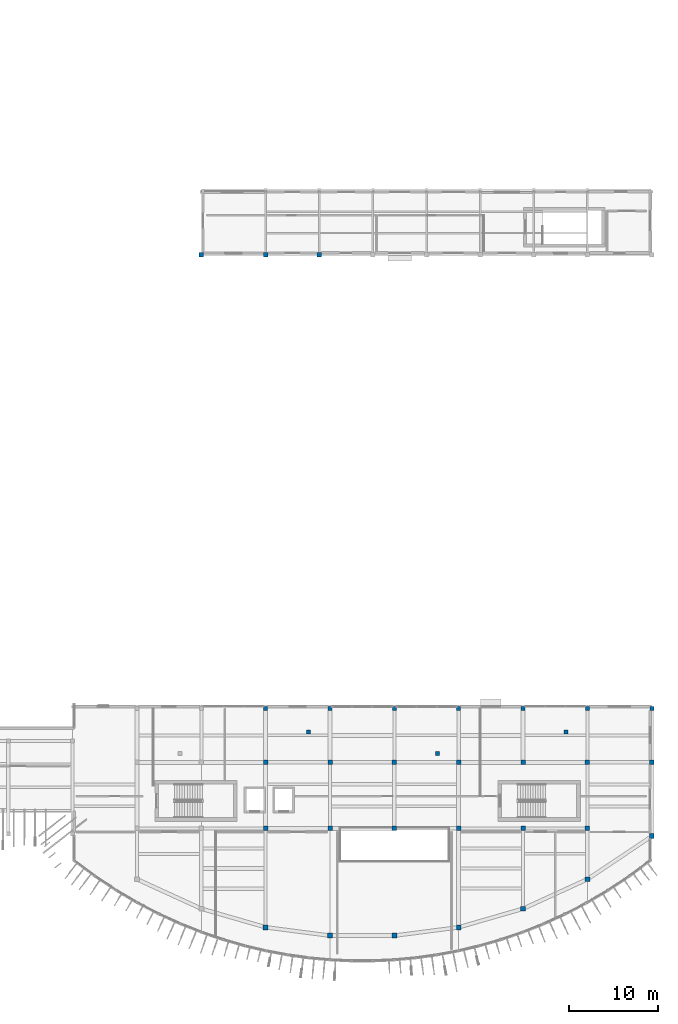
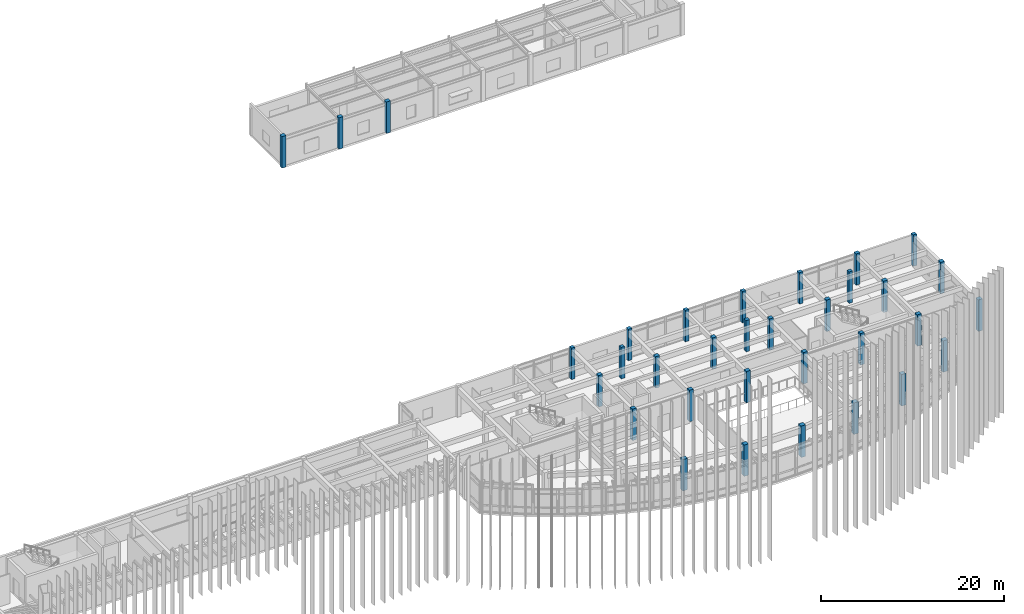
# One storey, part 2 of 47: 33 columns.
"""IFC4 building model written with IfcOpenShell, lengths in metres."""

from ifc_helpers import new_model, si_unit, direction, frame, origin, origin_2d, place, context, subcontext, project, spatial, rectangle, extrude, material, material_profile, profile_set, type_object, element, save


model = new_model("IFC4")

# Units and contexts
model_context = context("Model", 3, precision=1e-05, world=origin(), true_north=direction((0.0, 1.0)))
body_context = subcontext(model_context, "Body", "Model", "MODEL_VIEW")
ifc_project = project(units=[si_unit("LENGTHUNIT", "METRE"), si_unit("AREAUNIT", "SQUARE_METRE"), si_unit("VOLUMEUNIT", "CUBIC_METRE"), si_unit("PLANEANGLEUNIT", "RADIAN"), si_unit("MASSUNIT", "GRAM", prefix="KILO")], contexts=[model_context])

# Site, building, storey
site_placement = place(None, origin())
site = spatial("IfcSite", under=ifc_project, at=site_placement, CompositionType="ELEMENT")
building_placement = place(site_placement, origin())
building = spatial("IfcBuilding", under=site, at=building_placement, Name="Brisavento Harbour Community Centre", CompositionType="ELEMENT")
storey_placement = place(building_placement, frame((0.0, 0.0, 8.699951171875)))
storey = spatial("IfcBuildingStorey", under=building, at=storey_placement, Name="L02", CompositionType="ELEMENT", Elevation=8.699951171875)

# Columns
ifc_material = material(Name="Concrete C35/45", Category="concrete")
ifc_material_profile_1 = material_profile(ifc_material, rectangle(XDim=0.449951171875, YDim=0.449951171875, at=origin_2d()), Name="Concrete C35/45")
ifc_profile_set_1 = profile_set([ifc_material_profile_1], Name="Concrete C35/45")
column_type_1 = type_object("IfcColumnType", Name="COL-RC-450", PredefinedType="COLUMN", material=ifc_profile_set_1)
for number, where, z_axis, x_axis, name in (
    (1, (129.60009765625, 28.39990234375, 0.0), (0.0, 0.0, 1.0), (1.0, 0.0, 0.0), "L02 column V3N2-129"),
    (2, (136.800048828125, 28.39990234375, 0.0), (0.0, 0.0, 1.0), (1.0, 0.0, 0.0), "L02 column V3N2-136"),
    (3, (144.0, 28.39990234375, 0.0), (0.0, 0.0, 1.0), (1.0, 0.0, 0.0), "L02 column V3N2-144"),
    (4, (151.199951171875, 28.39990234375, 0.0), (0.0, 0.0, 1.0), (1.0, 0.0, 0.0), "L02 column V3N2-151"),
    (5, (158.39990234375, 28.39990234375, 0.0), (0.0, 0.0, 1.0), (1.0, 0.0, 0.0), "L02 column V3N2-158"),
    (6, (165.60009765625, 28.39990234375, 0.0), (0.0, 0.0, 1.0), (1.0, 0.0, 0.0), "L02 column V3N2-165"),
    (7, (172.800048828125, 28.39990234375, 0.0), (0.0, 0.0, 1.0), (1.0, 0.0, 0.0), "L02 column V3N2-172"),
    (8, (134.39990234375, 25.800048828125, 0.0), (0.0, 0.0, 1.0), (1.0, 0.0, 0.0), "L02 column V3TER-134"),
    (9, (148.800048828125, 23.39990234375, 0.0), (0.0, 0.0, 1.0), (1.0, 0.0, 0.0), "L02 column V3TER-148"),
    (10, (163.199951171875, 25.800048828125, 0.0), (0.0, 0.0, 1.0), (1.0, 0.0, 0.0), "L02 column V3TER-163"),
):
    element("IfcColumn", number, at=place(storey_placement, frame(where, z_axis=z_axis, x_axis=x_axis)), inside=storey, type_object=column_type_1, Name=name, PredefinedType="COLUMN", context=body_context, shape_type="SweptSolid", body=[
        extrude(rectangle(XDim=0.449951171875, YDim=0.449951171875, at=origin_2d()), origin(), (0.0, 0.0, 1.0), 4.199951171875),
    ])
ifc_material_profile_2 = material_profile(ifc_material, rectangle(XDim=0.5, YDim=0.5, at=origin_2d()), Name="Concrete C35/45")
ifc_profile_set_2 = profile_set([ifc_material_profile_2], Name="Concrete C35/45")
column_type_2 = type_object("IfcColumnType", Name="COL-RC-500", PredefinedType="COLUMN", material=ifc_profile_set_2)
for number, where, z_axis, x_axis, name in (
    (11, (129.60009765625, 15.0, 0.0), (0.0, 0.0, 1.0), (1.0, 0.0, 0.0), "L02 column V3M-129"),
    (12, (129.60009765625, 22.39990234375, 0.0), (0.0, 0.0, 1.0), (1.0, 0.0, 0.0), "L02 column V3N1-129"),
    (13, (136.800048828125, 15.0, 0.0), (0.0, 0.0, 1.0), (1.0, 0.0, 0.0), "L02 column V3M-136"),
    (14, (136.800048828125, 22.39990234375, 0.0), (0.0, 0.0, 1.0), (1.0, 0.0, 0.0), "L02 column V3N1-136"),
    (15, (144.0, 15.0, 0.0), (0.0, 0.0, 1.0), (1.0, 0.0, 0.0), "L02 column V3M-144"),
    (16, (144.0, 22.39990234375, 0.0), (0.0, 0.0, 1.0), (1.0, 0.0, 0.0), "L02 column V3N1-144"),
    (17, (151.199951171875, 15.0, 0.0), (0.0, 0.0, 1.0), (1.0, 0.0, 0.0), "L02 column V3M-151"),
    (18, (151.199951171875, 22.39990234375, 0.0), (0.0, 0.0, 1.0), (1.0, 0.0, 0.0), "L02 column V3N1-151"),
    (19, (158.39990234375, 15.0, 0.0), (0.0, 0.0, 1.0), (1.0, 0.0, 0.0), "L02 column V3M-158"),
    (20, (158.39990234375, 22.39990234375, 0.0), (0.0, 0.0, 1.0), (1.0, 0.0, 0.0), "L02 column V3N1-158"),
    (21, (165.60009765625, 15.0, 0.0), (0.0, 0.0, 1.0), (1.0, 0.0, 0.0), "L02 column V3M-165"),
    (22, (165.60009765625, 22.39990234375, 0.0), (0.0, 0.0, 1.0), (1.0, 0.0, 0.0), "L02 column V3N1-165"),
    (23, (172.800048828125, 22.39990234375, 0.0), (0.0, 0.0, 1.0), (1.0, 0.0, 0.0), "L02 column V3N1-172"),
    (24, (129.60009765625, 79.199951171875, 0.0), (0.0, 0.0, 1.0), (1.0, 0.0, 0.0), "L02 column V4SB-1"),
    (25, (135.60009765625, 79.199951171875, 0.0), (0.0, 0.0, 1.0), (1.0, 0.0, 0.0), "L02 column V4SB-2"),
    (26, (122.39990234375, 79.199951171875, 0.0), (0.0, 0.0, 1.0), (1.0, 0.0, 0.0), "L02 column V4SW-PROW"),
):
    element("IfcColumn", number, at=place(storey_placement, frame(where, z_axis=z_axis, x_axis=x_axis)), inside=storey, type_object=column_type_2, Name=name, PredefinedType="COLUMN", context=body_context, shape_type="SweptSolid", body=[
        extrude(rectangle(XDim=0.5, YDim=0.5, at=origin_2d()), origin(), (0.0, 0.0, 1.0), 4.199951171875),
    ])
ifc_material_profile_3 = material_profile(ifc_material, rectangle(XDim=0.550048828125, YDim=0.550048828125, at=origin_2d()), Name="Concrete C35/45")
ifc_profile_set_3 = profile_set([ifc_material_profile_3], Name="Concrete C35/45")
column_type_3 = type_object("IfcColumnType", Name="COL-RC-550", PredefinedType="COLUMN", material=ifc_profile_set_3)
for number, where, z_axis, x_axis, name in (
    (27, (129.60009765625, 3.93408203125, 0.0), (0.0, 0.0, 1.0), (1.0, 0.0, 0.0), "L02 column V3S-129"),
    (28, (136.800048828125, 3.0, 0.0), (0.0, 0.0, 1.0), (1.0, 0.0, 0.0), "L02 column V3S-136"),
    (29, (144.0, 3.0, 0.0), (0.0, 0.0, 1.0), (1.0, 0.0, 0.0), "L02 column V3S-144"),
    (30, (151.199951171875, 3.93408203125, 0.0), (0.0, 0.0, 1.0), (1.0, 0.0, 0.0), "L02 column V3S-151"),
    (31, (158.39990234375, 6.014892578125, 0.0), (0.0, 0.0, 1.0), (1.0, 0.0, 0.0), "L02 column V3S-158"),
    (32, (165.60009765625, 9.31396484375, 0.0), (0.0, 0.0, 1.0), (1.0, 0.0, 0.0), "L02 column V3S-165"),
    (33, (172.800048828125, 14.1279296875, 0.0), (0.0, 0.0, 1.0), (1.0, 0.0, 0.0), "L02 column V3S-172"),
):
    element("IfcColumn", number, at=place(storey_placement, frame(where, z_axis=z_axis, x_axis=x_axis)), inside=storey, type_object=column_type_3, Name=name, PredefinedType="COLUMN", context=body_context, shape_type="SweptSolid", body=[
        extrude(rectangle(XDim=0.550048828125, YDim=0.550048828125, at=origin_2d()), origin(), (0.0, 0.0, 1.0), 4.199951171875),
    ])

save(model, "model.ifc")
